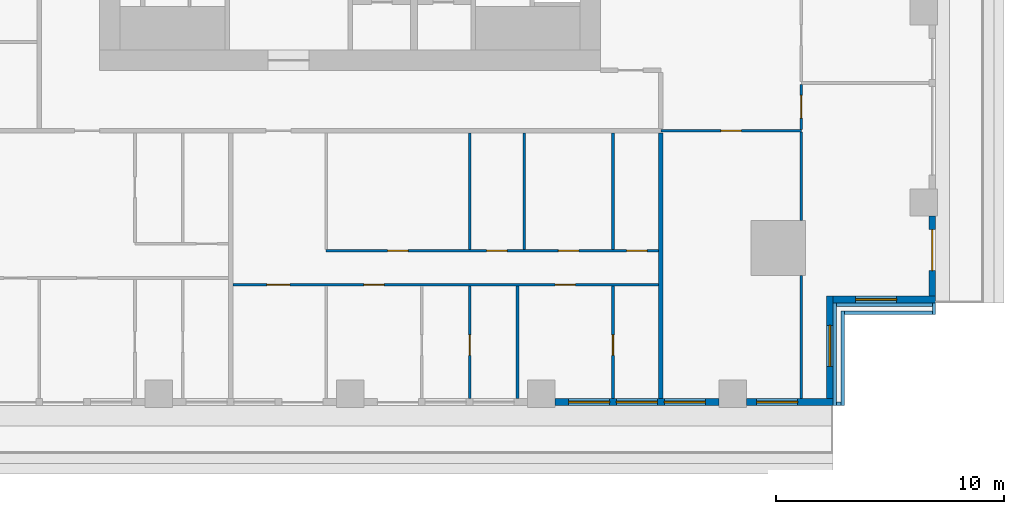
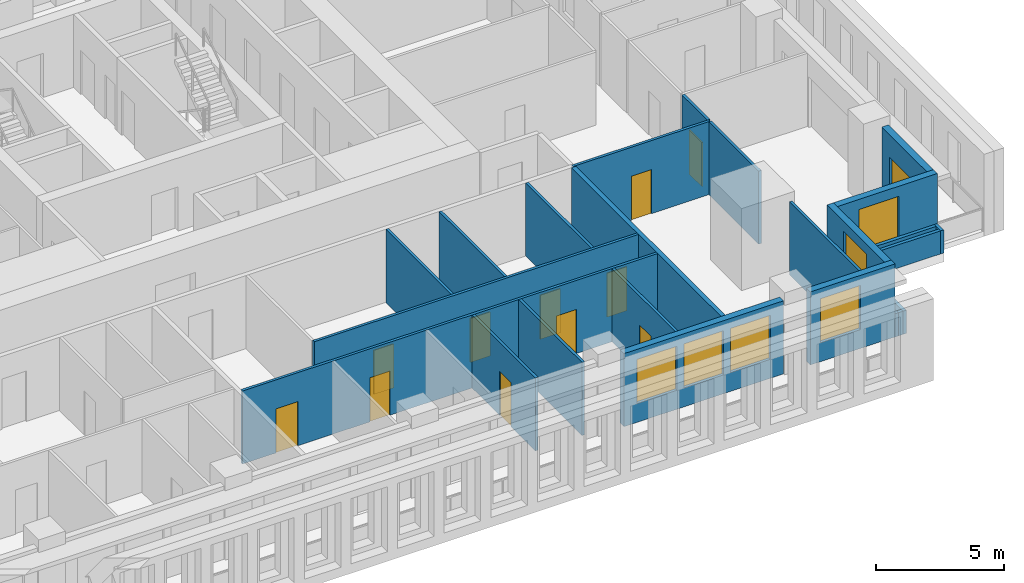
# One storey, part 5 of 17: 24 walls, 12 doors, 6 windows, 18 openings.
"""IFC4 building model written with IfcOpenShell, lengths in metres."""

from ifc_helpers import new_model, si_unit, direction, frame, frame_2d, origin, place, context, subcontext, project, spatial, rectangle, extrude, material, layer, layer_set, type_object, element, fill, save


model = new_model("IFC4")

# Units and contexts
model_context = context("Model", 3, precision=1e-05, world=origin(), true_north=direction((0.0, 1.0)))
body_context = subcontext(model_context, "Body", "Model", "MODEL_VIEW")
ifc_project = project(units=[si_unit("LENGTHUNIT", "METRE"), si_unit("AREAUNIT", "SQUARE_METRE"), si_unit("VOLUMEUNIT", "CUBIC_METRE"), si_unit("PLANEANGLEUNIT", "RADIAN"), si_unit("MASSUNIT", "GRAM", prefix="KILO")], contexts=[model_context])

# Site, building, storey
site_placement = place(None, origin())
site = spatial("IfcSite", under=ifc_project, at=site_placement, CompositionType="ELEMENT")
building_placement = place(site_placement, origin())
building = spatial("IfcBuilding", under=site, at=building_placement, Name="Khepri Terraces", CompositionType="ELEMENT")
storey_placement = place(building_placement, frame((0.0, 0.0, 188.39990234375)))
storey = spatial("IfcBuildingStorey", under=building, at=storey_placement, Name="L44", CompositionType="ELEMENT", Elevation=188.39990234375)

# Wall
ifc_material_1 = material(Name="Fire-rated gypsum plasterboard partition, mineral wool")
ifc_layer_1 = layer(ifc_material_1, 0.199951171875, Name="Fire-rated gypsum plasterboard partition, mineral wool")
ifc_layer_set_1 = layer_set([ifc_layer_1], Name="Fire-rated gypsum plasterboard partition, mineral wool")
wall_type_1 = type_object("IfcWallType", Name="WL-CORR-200", PredefinedType="PARTITIONING", material=ifc_layer_set_1)
wall_1_placement = place(storey_placement, frame((13.64990234375, -25.419921875, 0.0), z_axis=(0.0, 0.0, 1.0), x_axis=(0.0, 1.0, 0.0)))
element("IfcWall", 1, at=wall_1_placement, inside=storey, type_object=wall_type_1, Name="Partition P-010 L44", PredefinedType="PARTITIONING", context=body_context, shape_type="SweptSolid", body=[
    extrude(rectangle(XDim=11.669921875, YDim=0.199951171875, at=frame_2d((5.8349609375, 0.0))), origin(), (0.0, 0.0, 1.0), 3.47998046875),
])

# Wall, opening, window
ifc_material_2 = material(Name="Precast concrete C50/60 warm stone", Category="masonry")
ifc_layer_2 = layer(ifc_material_2, 0.300048828125, Name="Precast concrete C50/60 warm stone", Category="masonry")
ifc_layer_set_2 = layer_set([ifc_layer_2], Name="Precast concrete C50/60 warm stone")
wall_type_2 = type_object("IfcWallType", Name="WL-EXT-PRECAST-300", PredefinedType="STANDARD", material=ifc_layer_set_2)
wall_2_placement = place(storey_placement, frame((21.219970703125, -21.070068359375, 0.0), z_axis=(0.0, 0.0, 1.0), x_axis=(1.0, 0.0, 0.0)))
wall_2 = element("IfcWall", 2, at=wall_2_placement, inside=storey, type_object=wall_type_2, Name="External wall L44 S", PredefinedType="STANDARD", context=body_context, shape_type="SweptSolid", body=[
    extrude(rectangle(XDim=4.5, YDim=0.300048828125, at=frame_2d((2.25, 0.0))), origin(), (0.0, 0.0, 1.0), 3.47998046875),
])
opening_1_placement = place(wall_2_placement, frame((0.97998046875, 0.0, 0.89990234375)))
opening_1 = element("IfcOpeningElement", 3, at=opening_1_placement, cuts=wall_2, Name="Opening W1", PredefinedType="OPENING", context=body_context, shape_type="SweptSolid", body=[
    extrude(rectangle(XDim=1.800048828125, YDim=2.10009765625, at=frame_2d((0.89990234375, 1.050048828125))), frame((0.0, 0.16015625, 0.0), z_axis=(0.0, -1.0, 0.0), x_axis=(1.0, 0.0, 0.0)), (0.0, 0.0, 1.0), 0.320068359375),
])
ifc_material_3 = material(Name="Clear glass", Category="glass")
window_type = type_object("IfcWindowType", Name="WIN-RES-1800x2100", PartitioningType="SINGLE_PANEL", PredefinedType="WINDOW", material=ifc_material_3)
window_1_placement = place(opening_1_placement, origin())
window_1 = element("IfcWindow", 4, at=window_1_placement, inside=storey, type_object=window_type, Name="Window L44 S", OverallHeight=2.10009765625, OverallWidth=1.800048828125, PartitioningType="SINGLE_PANEL", PredefinedType="WINDOW", context=body_context, shape_type="SweptSolid", body=[
    extrude(rectangle(XDim=1.800048828125, YDim=2.10009765625, at=frame_2d((0.89990234375, 1.050048828125))), frame((0.0, 0.030029296875, 0.0), z_axis=(0.0, -1.0, 0.0), x_axis=(1.0, 0.0, 0.0)), (0.0, 0.0, 1.0), 0.06005859375),
])
fill(opening_1, window_1)

# Wall, opening, door
wall_3_placement = place(storey_placement, frame((25.570068359375, -20.919921875, 0.0), z_axis=(0.0, 0.0, 1.0), x_axis=(0.0, 1.0, 0.0)))
wall_3 = element("IfcWall", 5, at=wall_3_placement, inside=storey, type_object=wall_type_2, Name="External wall L44 E", PredefinedType="STANDARD", context=body_context, shape_type="SweptSolid", body=[
    extrude(rectangle(XDim=3.52001953125, YDim=0.300048828125, at=frame_2d((1.760009765625, 0.0))), origin(), (0.0, 0.0, 1.0), 3.47998046875),
])
opening_2_placement = place(wall_3_placement, frame((1.1201171875, 0.0, 0.0)))
opening_2 = element("IfcOpeningElement", 6, at=opening_2_placement, cuts=wall_3, Name="Opening ED-L44-01", PredefinedType="OPENING", context=body_context, shape_type="SweptSolid", body=[
    extrude(rectangle(XDim=1.800048828125, YDim=2.39990234375, at=frame_2d((0.89990234375, 1.199951171875))), frame((0.0, 0.16015625, 0.0), z_axis=(0.0, -1.0, 0.0), x_axis=(1.0, 0.0, 0.0)), (0.0, 0.0, 1.0), 0.320068359375),
])
ifc_material_4 = material(Name="Anodised aluminium bronze glazed door", Category="aluminium")
door_type_1 = type_object("IfcDoorType", Name="DR-BAL-SLIDE-1800x2400", OperationType="NOTDEFINED", PredefinedType="DOOR", material=ifc_material_4)
door_1_placement = place(opening_2_placement, origin())
door_1 = element("IfcDoor", 7, at=door_1_placement, inside=storey, type_object=door_type_1, Name="Balcony door L44 E", OperationType="SLIDING_TO_RIGHT", OverallHeight=2.39990234375, OverallWidth=1.800048828125, PredefinedType="DOOR", context=body_context, shape_type="SweptSolid", body=[
    extrude(rectangle(XDim=1.800048828125, YDim=2.39990234375, at=frame_2d((0.89990234375, 1.199951171875))), frame((0.0, 0.02490234375, 0.0), z_axis=(0.0, -1.0, 0.0), x_axis=(1.0, 0.0, 0.0)), (0.0, 0.0, 1.0), 0.050048828125),
])
fill(opening_2, door_1)

# Wall, openings, windows
wall_4_placement = place(storey_placement, frame((9.0, -25.570068359375, 0.0), z_axis=(0.0, 0.0, 1.0), x_axis=(1.0, 0.0, 0.0)))
wall_4 = element("IfcWall", 8, at=wall_4_placement, inside=storey, type_object=wall_type_2, Name="External wall L44 S", PredefinedType="STANDARD", context=body_context, shape_type="SweptSolid", body=[
    extrude(rectangle(XDim=7.199951171875, YDim=0.300048828125, at=frame_2d((3.60009765625, 0.0))), origin(), (0.0, 0.0, 1.0), 3.47998046875),
])
opening_3_placement = place(wall_4_placement, frame((0.60009765625, 0.0, 0.89990234375)))
opening_3 = element("IfcOpeningElement", 9, at=opening_3_placement, cuts=wall_4, Name="Opening W1", PredefinedType="OPENING", context=body_context, shape_type="SweptSolid", body=[
    extrude(rectangle(XDim=1.800048828125, YDim=2.10009765625, at=frame_2d((0.89990234375, 1.050048828125))), frame((0.0, 0.16015625, 0.0), z_axis=(0.0, -1.0, 0.0), x_axis=(1.0, 0.0, 0.0)), (0.0, 0.0, 1.0), 0.320068359375),
])
opening_4_placement = place(wall_4_placement, frame((2.699951171875, 0.0, 0.89990234375)))
opening_4 = element("IfcOpeningElement", 10, at=opening_4_placement, cuts=wall_4, Name="Opening W1", PredefinedType="OPENING", context=body_context, shape_type="SweptSolid", body=[
    extrude(rectangle(XDim=1.800048828125, YDim=2.10009765625, at=frame_2d((0.89990234375, 1.050048828125))), frame((0.0, 0.16015625, 0.0), z_axis=(0.0, -1.0, 0.0), x_axis=(1.0, 0.0, 0.0)), (0.0, 0.0, 1.0), 0.320068359375),
])
opening_5_placement = place(wall_4_placement, frame((4.800048828125, 0.0, 0.89990234375)))
opening_5 = element("IfcOpeningElement", 11, at=opening_5_placement, cuts=wall_4, Name="Opening W1", PredefinedType="OPENING", context=body_context, shape_type="SweptSolid", body=[
    extrude(rectangle(XDim=1.800048828125, YDim=2.10009765625, at=frame_2d((0.89990234375, 1.050048828125))), frame((0.0, 0.16015625, 0.0), z_axis=(0.0, -1.0, 0.0), x_axis=(1.0, 0.0, 0.0)), (0.0, 0.0, 1.0), 0.320068359375),
])
window_2_placement = place(opening_3_placement, origin())
window_2 = element("IfcWindow", 12, at=window_2_placement, inside=storey, type_object=window_type, Name="Window L44 S", OverallHeight=2.10009765625, OverallWidth=1.800048828125, PartitioningType="SINGLE_PANEL", PredefinedType="WINDOW", context=body_context, shape_type="SweptSolid", body=[
    extrude(rectangle(XDim=1.800048828125, YDim=2.10009765625, at=frame_2d((0.89990234375, 1.050048828125))), frame((0.0, 0.030029296875, 0.0), z_axis=(0.0, -1.0, 0.0), x_axis=(1.0, 0.0, 0.0)), (0.0, 0.0, 1.0), 0.06005859375),
])
fill(opening_3, window_2)
window_3_placement = place(opening_4_placement, origin())
window_3 = element("IfcWindow", 13, at=window_3_placement, inside=storey, type_object=window_type, Name="Window L44 S", OverallHeight=2.10009765625, OverallWidth=1.800048828125, PartitioningType="SINGLE_PANEL", PredefinedType="WINDOW", context=body_context, shape_type="SweptSolid", body=[
    extrude(rectangle(XDim=1.800048828125, YDim=2.10009765625, at=frame_2d((0.89990234375, 1.050048828125))), frame((0.0, 0.030029296875, 0.0), z_axis=(0.0, -1.0, 0.0), x_axis=(1.0, 0.0, 0.0)), (0.0, 0.0, 1.0), 0.06005859375),
])
fill(opening_4, window_3)
window_4_placement = place(opening_5_placement, origin())
window_4 = element("IfcWindow", 14, at=window_4_placement, inside=storey, type_object=window_type, Name="Window L44 S", OverallHeight=2.10009765625, OverallWidth=1.800048828125, PartitioningType="SINGLE_PANEL", PredefinedType="WINDOW", context=body_context, shape_type="SweptSolid", body=[
    extrude(rectangle(XDim=1.800048828125, YDim=2.10009765625, at=frame_2d((0.89990234375, 1.050048828125))), frame((0.0, 0.030029296875, 0.0), z_axis=(0.0, -1.0, 0.0), x_axis=(1.0, 0.0, 0.0)), (0.0, 0.0, 1.0), 0.06005859375),
])
fill(opening_5, window_4)

# Wall, opening, window
wall_5_placement = place(storey_placement, frame((17.39990234375, -25.570068359375, 0.0), z_axis=(0.0, 0.0, 1.0), x_axis=(1.0, 0.0, 0.0)))
wall_5 = element("IfcWall", 15, at=wall_5_placement, inside=storey, type_object=wall_type_2, Name="External wall L44 S", PredefinedType="STANDARD", context=body_context, shape_type="SweptSolid", body=[
    extrude(rectangle(XDim=3.820068359375, YDim=0.300048828125, at=frame_2d((1.91015625, 0.0))), origin(), (0.0, 0.0, 1.0), 3.47998046875),
])
opening_6_placement = place(wall_5_placement, frame((0.4599609375, 0.0, 0.89990234375)))
opening_6 = element("IfcOpeningElement", 16, at=opening_6_placement, cuts=wall_5, Name="Opening W1", PredefinedType="OPENING", context=body_context, shape_type="SweptSolid", body=[
    extrude(rectangle(XDim=1.800048828125, YDim=2.10009765625, at=frame_2d((0.89990234375, 1.050048828125))), frame((0.0, 0.16015625, 0.0), z_axis=(0.0, -1.0, 0.0), x_axis=(1.0, 0.0, 0.0)), (0.0, 0.0, 1.0), 0.320068359375),
])
window_5_placement = place(opening_6_placement, origin())
window_5 = element("IfcWindow", 17, at=window_5_placement, inside=storey, type_object=window_type, Name="Window L44 S", OverallHeight=2.10009765625, OverallWidth=1.800048828125, PartitioningType="SINGLE_PANEL", PredefinedType="WINDOW", context=body_context, shape_type="SweptSolid", body=[
    extrude(rectangle(XDim=1.800048828125, YDim=2.10009765625, at=frame_2d((0.89990234375, 1.050048828125))), frame((0.0, 0.030029296875, 0.0), z_axis=(0.0, -1.0, 0.0), x_axis=(1.0, 0.0, 0.0)), (0.0, 0.0, 1.0), 0.06005859375),
])
fill(opening_6, window_5)

wall_6_placement = place(storey_placement, frame((21.070068359375, -25.419921875, 0.0), z_axis=(0.0, 0.0, 1.0), x_axis=(0.0, 1.0, 0.0)))
wall_6 = element("IfcWall", 18, at=wall_6_placement, inside=storey, type_object=wall_type_2, Name="External wall L44 E", PredefinedType="STANDARD", context=body_context, shape_type="SweptSolid", body=[
    extrude(rectangle(XDim=4.5, YDim=0.300048828125, at=frame_2d((2.25, 0.0))), origin(), (0.0, 0.0, 1.0), 3.47998046875),
])
opening_7_placement = place(wall_6_placement, frame((1.419921875, 0.0, 0.89990234375)))
opening_7 = element("IfcOpeningElement", 19, at=opening_7_placement, cuts=wall_6, Name="Opening W1", PredefinedType="OPENING", context=body_context, shape_type="SweptSolid", body=[
    extrude(rectangle(XDim=1.800048828125, YDim=2.10009765625, at=frame_2d((0.89990234375, 1.050048828125))), frame((0.0, 0.16015625, 0.0), z_axis=(0.0, -1.0, 0.0), x_axis=(1.0, 0.0, 0.0)), (0.0, 0.0, 1.0), 0.320068359375),
])
window_6_placement = place(opening_7_placement, origin())
window_6 = element("IfcWindow", 20, at=window_6_placement, inside=storey, type_object=window_type, Name="Window L44 E", OverallHeight=2.10009765625, OverallWidth=1.800048828125, PartitioningType="SINGLE_PANEL", PredefinedType="WINDOW", context=body_context, shape_type="SweptSolid", body=[
    extrude(rectangle(XDim=1.800048828125, YDim=2.10009765625, at=frame_2d((0.89990234375, 1.050048828125))), frame((0.0, 0.030029296875, 0.0), z_axis=(0.0, -1.0, 0.0), x_axis=(1.0, 0.0, 0.0)), (0.0, 0.0, 1.0), 0.06005859375),
])
fill(opening_7, window_6)

# Walls
ifc_layer_3 = layer(ifc_material_2, 0.14990234375, Name="Precast concrete C50/60 warm stone", Category="masonry")
ifc_layer_set_3 = layer_set([ifc_layer_3], Name="Precast concrete C50/60 warm stone")
wall_type_3 = type_object("IfcWallType", Name="WL-PARAPET-150", PredefinedType="PARAPET", material=ifc_layer_set_3)
wall_7_placement = place(storey_placement, frame((21.294921875, -25.719970703125, 0.0), z_axis=(0.0, 0.0, 1.0), x_axis=(0.0, 1.0, 0.0)))
element("IfcWall", 21, at=wall_7_placement, inside=storey, type_object=wall_type_3, Name="Ledge parapet L44", PredefinedType="PARAPET", context=body_context, shape_type="SweptSolid", body=[
    extrude(rectangle(XDim=4.5, YDim=0.14990234375, at=frame_2d((2.25, 0.0))), origin(), (0.0, 0.0, 1.0), 1.10009765625),
])
wall_8_placement = place(storey_placement, frame((21.3701171875, -25.64501953125, 0.0), z_axis=(0.0, 0.0, 1.0), x_axis=(1.0, 0.0, 0.0)))
element("IfcWall", 22, at=wall_8_placement, inside=storey, type_object=wall_type_3, Name="Ledge parapet L44", PredefinedType="PARAPET", context=body_context, shape_type="SweptSolid", body=[
    extrude(rectangle(XDim=0.199951171875, YDim=0.14990234375, at=frame_2d((0.10009765625, 0.0))), origin(), (0.0, 0.0, 1.0), 1.10009765625),
])
wall_9_placement = place(storey_placement, frame((21.3701171875, -21.294921875, 0.0), z_axis=(0.0, 0.0, 1.0), x_axis=(1.0, 0.0, 0.0)))
element("IfcWall", 23, at=wall_9_placement, inside=storey, type_object=wall_type_3, Name="Ledge parapet L44", PredefinedType="PARAPET", context=body_context, shape_type="SweptSolid", body=[
    extrude(rectangle(XDim=4.199951171875, YDim=0.14990234375, at=frame_2d((2.10009765625, 0.0))), origin(), (0.0, 0.0, 1.0), 1.10009765625),
])
wall_10_placement = place(storey_placement, frame((21.64501953125, -25.719970703125, 0.0), z_axis=(0.0, 0.0, 1.0), x_axis=(0.0, 1.0, 0.0)))
element("IfcWall", 24, at=wall_10_placement, inside=storey, type_object=wall_type_3, Name="Ledge parapet L44", PredefinedType="PARAPET", context=body_context, shape_type="SweptSolid", body=[
    extrude(rectangle(XDim=4.14990234375, YDim=0.14990234375, at=frame_2d((2.074951171875, 0.0))), origin(), (0.0, 0.0, 1.0), 1.10009765625),
])
wall_11_placement = place(storey_placement, frame((21.719970703125, -21.64501953125, 0.0), z_axis=(0.0, 0.0, 1.0), x_axis=(1.0, 0.0, 0.0)))
element("IfcWall", 25, at=wall_11_placement, inside=storey, type_object=wall_type_3, Name="Ledge parapet L44", PredefinedType="PARAPET", context=body_context, shape_type="SweptSolid", body=[
    extrude(rectangle(XDim=3.85009765625, YDim=0.14990234375, at=frame_2d((1.925048828125, 0.0))), origin(), (0.0, 0.0, 1.0), 1.10009765625),
])
wall_12_placement = place(storey_placement, frame((25.64501953125, -21.719970703125, 0.0), z_axis=(0.0, 0.0, 1.0), x_axis=(0.0, 1.0, 0.0)))
element("IfcWall", 26, at=wall_12_placement, inside=storey, type_object=wall_type_3, Name="Ledge parapet L44", PredefinedType="PARAPET", context=body_context, shape_type="SweptSolid", body=[
    extrude(rectangle(XDim=0.5, YDim=0.14990234375, at=frame_2d((0.25, 0.0))), origin(), (0.0, 0.0, 1.0), 1.10009765625),
])

# Wall, opening, door
ifc_material_5 = material(Name="Gypsum plasterboard partition")
ifc_layer_4 = layer(ifc_material_5, 0.1201171875, Name="Gypsum plasterboard partition")
ifc_layer_set_4 = layer_set([ifc_layer_4], Name="Gypsum plasterboard partition")
wall_type_4 = type_object("IfcWallType", Name="WL-PART-120", PredefinedType="PARTITIONING", material=ifc_layer_set_4)
wall_13_placement = place(storey_placement, frame((5.25, -25.419921875, 0.0), z_axis=(0.0, 0.0, 1.0), x_axis=(0.0, 1.0, 0.0)))
wall_13 = element("IfcWall", 27, at=wall_13_placement, inside=storey, type_object=wall_type_4, Name="Partition P-007 L44", PredefinedType="PARTITIONING", context=body_context, shape_type="SweptSolid", body=[
    extrude(rectangle(XDim=4.93994140625, YDim=0.1201171875, at=frame_2d((2.469970703125, 0.0))), origin(), (0.0, 0.0, 1.0), 3.47998046875),
])
opening_8_placement = place(wall_13_placement, frame((1.89990234375, 0.0, 0.0)))
opening_8 = element("IfcOpeningElement", 28, at=opening_8_placement, cuts=wall_13, Name="Opening D4", PredefinedType="OPENING", context=body_context, shape_type="SweptSolid", body=[
    extrude(rectangle(XDim=0.89990234375, YDim=2.10009765625, at=frame_2d((0.449951171875, 1.050048828125))), frame((0.0, 0.070068359375, 0.0), z_axis=(0.0, -1.0, 0.0), x_axis=(1.0, 0.0, 0.0)), (0.0, 0.0, 1.0), 0.14013671875),
])
ifc_material_6 = material(Name="Timber door leaf, moisture resistant", Category="wood")
door_type_2 = type_object("IfcDoorType", Name="DR-WET-900", OperationType="NOTDEFINED", PredefinedType="DOOR", material=ifc_material_6)
door_2_placement = place(opening_8_placement, frame((0.89990234375, 0.0, 0.0), z_axis=(0.0, 0.0, 1.0), x_axis=(-1.0, 0.0, 0.0)))
door_2 = element("IfcDoor", 29, at=door_2_placement, inside=storey, type_object=door_type_2, Name="Door Bathroom", OperationType="SINGLE_SWING_RIGHT", OverallHeight=2.10009765625, OverallWidth=0.89990234375, PredefinedType="DOOR", context=body_context, shape_type="SweptSolid", body=[
    extrude(rectangle(XDim=0.89990234375, YDim=2.10009765625, at=frame_2d((0.449951171875, 1.050048828125))), frame((0.0, 0.02490234375, 0.0), z_axis=(0.0, -1.0, 0.0), x_axis=(1.0, 0.0, 0.0)), (0.0, 0.0, 1.0), 0.050048828125),
])
fill(opening_8, door_2)

# Wall
wall_14_placement = place(storey_placement, frame((7.35009765625, -25.419921875, 0.0), z_axis=(0.0, 0.0, 1.0), x_axis=(0.0, 1.0, 0.0)))
element("IfcWall", 30, at=wall_14_placement, inside=storey, type_object=wall_type_4, Name="Partition P-008 L44", PredefinedType="PARTITIONING", context=body_context, shape_type="SweptSolid", body=[
    extrude(rectangle(XDim=4.93994140625, YDim=0.1201171875, at=frame_2d((2.469970703125, 0.0))), origin(), (0.0, 0.0, 1.0), 3.47998046875),
])

# Wall, opening, door
wall_15_placement = place(storey_placement, frame((11.550048828125, -25.419921875, 0.0), z_axis=(0.0, 0.0, 1.0), x_axis=(0.0, 1.0, 0.0)))
wall_15 = element("IfcWall", 31, at=wall_15_placement, inside=storey, type_object=wall_type_4, Name="Partition P-009 L44", PredefinedType="PARTITIONING", context=body_context, shape_type="SweptSolid", body=[
    extrude(rectangle(XDim=4.93994140625, YDim=0.1201171875, at=frame_2d((2.469970703125, 0.0))), origin(), (0.0, 0.0, 1.0), 3.47998046875),
])
opening_9_placement = place(wall_15_placement, frame((1.89990234375, 0.0, 0.0)))
opening_9 = element("IfcOpeningElement", 32, at=opening_9_placement, cuts=wall_15, Name="Opening D4", PredefinedType="OPENING", context=body_context, shape_type="SweptSolid", body=[
    extrude(rectangle(XDim=0.89990234375, YDim=2.10009765625, at=frame_2d((0.449951171875, 1.050048828125))), frame((0.0, 0.070068359375, 0.0), z_axis=(0.0, -1.0, 0.0), x_axis=(1.0, 0.0, 0.0)), (0.0, 0.0, 1.0), 0.14013671875),
])
door_3_placement = place(opening_9_placement, frame((0.89990234375, 0.0, 0.0), z_axis=(0.0, 0.0, 1.0), x_axis=(-1.0, 0.0, 0.0)))
door_3 = element("IfcDoor", 33, at=door_3_placement, inside=storey, type_object=door_type_2, Name="Door Bathroom", OperationType="SINGLE_SWING_RIGHT", OverallHeight=2.10009765625, OverallWidth=0.89990234375, PredefinedType="DOOR", context=body_context, shape_type="SweptSolid", body=[
    extrude(rectangle(XDim=0.89990234375, YDim=2.10009765625, at=frame_2d((0.449951171875, 1.050048828125))), frame((0.0, 0.02490234375, 0.0), z_axis=(0.0, -1.0, 0.0), x_axis=(1.0, 0.0, 0.0)), (0.0, 0.0, 1.0), 0.050048828125),
])
fill(opening_9, door_3)

# Wall
wall_16_placement = place(storey_placement, frame((19.820068359375, -25.419921875, 0.0), z_axis=(0.0, 0.0, 1.0), x_axis=(0.0, 1.0, 0.0)))
element("IfcWall", 34, at=wall_16_placement, inside=storey, type_object=wall_type_4, Name="Partition P-011 L44", PredefinedType="PARTITIONING", context=body_context, shape_type="SweptSolid", body=[
    extrude(rectangle(XDim=5.419921875, YDim=0.1201171875, at=frame_2d((2.7099609375, 0.0))), origin(), (0.0, 0.0, 1.0), 3.47998046875),
])

# Wall, openings, doors
wall_17_placement = place(storey_placement, frame((-5.14990234375, -20.419921875, 0.0), z_axis=(0.0, 0.0, 1.0), x_axis=(1.0, 0.0, 0.0)))
wall_17 = element("IfcWall", 35, at=wall_17_placement, inside=storey, type_object=wall_type_4, Name="Partition P-012 L44", PredefinedType="PARTITIONING", context=body_context, shape_type="SweptSolid", body=[
    extrude(rectangle(XDim=18.699951171875, YDim=0.1201171875, at=frame_2d((9.35009765625, 0.0))), origin(), (0.0, 0.0, 1.0), 3.47998046875),
])
opening_10_placement = place(wall_17_placement, frame((1.5, 0.0, 0.0)))
opening_10 = element("IfcOpeningElement", 36, at=opening_10_placement, cuts=wall_17, Name="Opening D2", PredefinedType="OPENING", context=body_context, shape_type="SweptSolid", body=[
    extrude(rectangle(XDim=1.0, YDim=2.10009765625, at=frame_2d((0.5, 1.050048828125))), frame((0.0, 0.070068359375, 0.0), z_axis=(0.0, -1.0, 0.0), x_axis=(1.0, 0.0, 0.0)), (0.0, 0.0, 1.0), 0.14013671875),
])
opening_11_placement = place(wall_17_placement, frame((5.75, 0.0, 0.0)))
opening_11 = element("IfcOpeningElement", 37, at=opening_11_placement, cuts=wall_17, Name="Opening D3", PredefinedType="OPENING", context=body_context, shape_type="SweptSolid", body=[
    extrude(rectangle(XDim=0.89990234375, YDim=2.10009765625, at=frame_2d((0.449951171875, 1.050048828125))), frame((0.0, 0.070068359375, 0.0), z_axis=(0.0, -1.0, 0.0), x_axis=(1.0, 0.0, 0.0)), (0.0, 0.0, 1.0), 0.14013671875),
])
opening_12_placement = place(wall_17_placement, frame((14.14990234375, 0.0, 0.0)))
opening_12 = element("IfcOpeningElement", 38, at=opening_12_placement, cuts=wall_17, Name="Opening D3", PredefinedType="OPENING", context=body_context, shape_type="SweptSolid", body=[
    extrude(rectangle(XDim=0.89990234375, YDim=2.10009765625, at=frame_2d((0.449951171875, 1.050048828125))), frame((0.0, 0.070068359375, 0.0), z_axis=(0.0, -1.0, 0.0), x_axis=(1.0, 0.0, 0.0)), (0.0, 0.0, 1.0), 0.14013671875),
])
ifc_material_7 = material(Name="Timber door leaf, living room door", Category="wood")
door_type_3 = type_object("IfcDoorType", Name="DR-INT-1000", OperationType="NOTDEFINED", PredefinedType="DOOR", material=ifc_material_7)
door_4_placement = place(opening_10_placement, frame((1.0, 0.0, 0.0), z_axis=(0.0, 0.0, 1.0), x_axis=(-1.0, 0.0, 0.0)))
door_4 = element("IfcDoor", 39, at=door_4_placement, inside=storey, type_object=door_type_3, Name="Door Living Room", OperationType="SINGLE_SWING_RIGHT", OverallHeight=2.10009765625, OverallWidth=1.0, PredefinedType="DOOR", context=body_context, shape_type="SweptSolid", body=[
    extrude(rectangle(XDim=1.0, YDim=2.10009765625, at=frame_2d((0.5, 1.050048828125))), frame((0.0, 0.02490234375, 0.0), z_axis=(0.0, -1.0, 0.0), x_axis=(1.0, 0.0, 0.0)), (0.0, 0.0, 1.0), 0.050048828125),
])
fill(opening_10, door_4)
ifc_material_8 = material(Name="Timber door leaf", Category="wood")
door_type_4 = type_object("IfcDoorType", Name="DR-INT-900", OperationType="NOTDEFINED", PredefinedType="DOOR", material=ifc_material_8)
door_5_placement = place(opening_11_placement, frame((0.89990234375, 0.0, 0.0), z_axis=(0.0, 0.0, 1.0), x_axis=(-1.0, 0.0, 0.0)))
door_5 = element("IfcDoor", 40, at=door_5_placement, inside=storey, type_object=door_type_4, Name="Door Master Bedroom", OperationType="SINGLE_SWING_RIGHT", OverallHeight=2.10009765625, OverallWidth=0.89990234375, PredefinedType="DOOR", context=body_context, shape_type="SweptSolid", body=[
    extrude(rectangle(XDim=0.89990234375, YDim=2.10009765625, at=frame_2d((0.449951171875, 1.050048828125))), frame((0.0, 0.02490234375, 0.0), z_axis=(0.0, -1.0, 0.0), x_axis=(1.0, 0.0, 0.0)), (0.0, 0.0, 1.0), 0.050048828125),
])
fill(opening_11, door_5)
door_6_placement = place(opening_12_placement, frame((0.89990234375, 0.0, 0.0), z_axis=(0.0, 0.0, 1.0), x_axis=(-1.0, 0.0, 0.0)))
door_6 = element("IfcDoor", 41, at=door_6_placement, inside=storey, type_object=door_type_4, Name="Door Bedroom", OperationType="SINGLE_SWING_LEFT", OverallHeight=2.10009765625, OverallWidth=0.89990234375, PredefinedType="DOOR", context=body_context, shape_type="SweptSolid", body=[
    extrude(rectangle(XDim=0.89990234375, YDim=2.10009765625, at=frame_2d((0.449951171875, 1.050048828125))), frame((0.0, 0.02490234375, 0.0), z_axis=(0.0, -1.0, 0.0), x_axis=(1.0, 0.0, 0.0)), (0.0, 0.0, 1.0), 0.050048828125),
])
fill(opening_12, door_6)

wall_18_placement = place(storey_placement, frame((-1.050048828125, -18.919921875, 0.0), z_axis=(0.0, 0.0, 1.0), x_axis=(1.0, 0.0, 0.0)))
wall_18 = element("IfcWall", 42, at=wall_18_placement, inside=storey, type_object=wall_type_4, Name="Partition P-015 L44", PredefinedType="PARTITIONING", context=body_context, shape_type="SweptSolid", body=[
    extrude(rectangle(XDim=14.60009765625, YDim=0.1201171875, at=frame_2d((7.300048828125, 0.0))), origin(), (0.0, 0.0, 1.0), 3.47998046875),
])
opening_13_placement = place(wall_18_placement, frame((2.699951171875, 0.0, 0.0)))
opening_13 = element("IfcOpeningElement", 43, at=opening_13_placement, cuts=wall_18, Name="Opening D3", PredefinedType="OPENING", context=body_context, shape_type="SweptSolid", body=[
    extrude(rectangle(XDim=0.89990234375, YDim=2.10009765625, at=frame_2d((0.449951171875, 1.050048828125))), frame((0.0, 0.070068359375, 0.0), z_axis=(0.0, -1.0, 0.0), x_axis=(1.0, 0.0, 0.0)), (0.0, 0.0, 1.0), 0.14013671875),
])
opening_14_placement = place(wall_18_placement, frame((7.050048828125, 0.0, 0.0)))
opening_14 = element("IfcOpeningElement", 44, at=opening_14_placement, cuts=wall_18, Name="Opening D4", PredefinedType="OPENING", context=body_context, shape_type="SweptSolid", body=[
    extrude(rectangle(XDim=0.89990234375, YDim=2.10009765625, at=frame_2d((0.449951171875, 1.050048828125))), frame((0.0, 0.070068359375, 0.0), z_axis=(0.0, -1.0, 0.0), x_axis=(1.0, 0.0, 0.0)), (0.0, 0.0, 1.0), 0.14013671875),
])
opening_15_placement = place(wall_18_placement, frame((10.199951171875, 0.0, 0.0)))
opening_15 = element("IfcOpeningElement", 45, at=opening_15_placement, cuts=wall_18, Name="Opening D4", PredefinedType="OPENING", context=body_context, shape_type="SweptSolid", body=[
    extrude(rectangle(XDim=0.89990234375, YDim=2.10009765625, at=frame_2d((0.449951171875, 1.050048828125))), frame((0.0, 0.070068359375, 0.0), z_axis=(0.0, -1.0, 0.0), x_axis=(1.0, 0.0, 0.0)), (0.0, 0.0, 1.0), 0.14013671875),
])
opening_16_placement = place(wall_18_placement, frame((13.199951171875, 0.0, 0.0)))
opening_16 = element("IfcOpeningElement", 46, at=opening_16_placement, cuts=wall_18, Name="Opening D3", PredefinedType="OPENING", context=body_context, shape_type="SweptSolid", body=[
    extrude(rectangle(XDim=0.89990234375, YDim=2.10009765625, at=frame_2d((0.449951171875, 1.050048828125))), frame((0.0, 0.070068359375, 0.0), z_axis=(0.0, -1.0, 0.0), x_axis=(1.0, 0.0, 0.0)), (0.0, 0.0, 1.0), 0.14013671875),
])
door_7_placement = place(opening_13_placement, origin())
door_7 = element("IfcDoor", 47, at=door_7_placement, inside=storey, type_object=door_type_4, Name="Door Kitchen", OperationType="SINGLE_SWING_LEFT", OverallHeight=2.10009765625, OverallWidth=0.89990234375, PredefinedType="DOOR", context=body_context, shape_type="SweptSolid", body=[
    extrude(rectangle(XDim=0.89990234375, YDim=2.10009765625, at=frame_2d((0.449951171875, 1.050048828125))), frame((0.0, 0.02490234375, 0.0), z_axis=(0.0, -1.0, 0.0), x_axis=(1.0, 0.0, 0.0)), (0.0, 0.0, 1.0), 0.050048828125),
])
fill(opening_13, door_7)
door_8_placement = place(opening_16_placement, origin())
door_8 = element("IfcDoor", 48, at=door_8_placement, inside=storey, type_object=door_type_4, Name="Door Utility Room", OperationType="SINGLE_SWING_RIGHT", OverallHeight=2.10009765625, OverallWidth=0.89990234375, PredefinedType="DOOR", context=body_context, shape_type="SweptSolid", body=[
    extrude(rectangle(XDim=0.89990234375, YDim=2.10009765625, at=frame_2d((0.449951171875, 1.050048828125))), frame((0.0, 0.02490234375, 0.0), z_axis=(0.0, -1.0, 0.0), x_axis=(1.0, 0.0, 0.0)), (0.0, 0.0, 1.0), 0.050048828125),
])
fill(opening_16, door_8)
door_9_placement = place(opening_14_placement, origin())
door_9 = element("IfcDoor", 49, at=door_9_placement, inside=storey, type_object=door_type_2, Name="Door Powder Room", OperationType="SINGLE_SWING_RIGHT", OverallHeight=2.10009765625, OverallWidth=0.89990234375, PredefinedType="DOOR", context=body_context, shape_type="SweptSolid", body=[
    extrude(rectangle(XDim=0.89990234375, YDim=2.10009765625, at=frame_2d((0.449951171875, 1.050048828125))), frame((0.0, 0.02490234375, 0.0), z_axis=(0.0, -1.0, 0.0), x_axis=(1.0, 0.0, 0.0)), (0.0, 0.0, 1.0), 0.050048828125),
])
fill(opening_14, door_9)
door_10_placement = place(opening_15_placement, origin())
door_10 = element("IfcDoor", 50, at=door_10_placement, inside=storey, type_object=door_type_2, Name="Door Guest Bathroom", OperationType="SINGLE_SWING_RIGHT", OverallHeight=2.10009765625, OverallWidth=0.89990234375, PredefinedType="DOOR", context=body_context, shape_type="SweptSolid", body=[
    extrude(rectangle(XDim=0.89990234375, YDim=2.10009765625, at=frame_2d((0.449951171875, 1.050048828125))), frame((0.0, 0.02490234375, 0.0), z_axis=(0.0, -1.0, 0.0), x_axis=(1.0, 0.0, 0.0)), (0.0, 0.0, 1.0), 0.050048828125),
])
fill(opening_15, door_10)

# Walls
for number, where, z_axis, x_axis, name in (
    (51, (5.25, -18.860107421875, 0.0), (0.0, 0.0, 1.0), (0.0, 1.0, 0.0), "Partition P-017 L44"),
    (52, (7.64990234375, -18.860107421875, 0.0), (0.0, 0.0, 1.0), (0.0, 1.0, 0.0), "Partition P-018 L44"),
    (53, (11.550048828125, -18.860107421875, 0.0), (0.0, 0.0, 1.0), (0.0, 1.0, 0.0), "Partition P-019 L44"),
):
    element("IfcWall", number, at=place(storey_placement, frame(where, z_axis=z_axis, x_axis=x_axis)), inside=storey, type_object=wall_type_4, Name=name, PredefinedType="PARTITIONING", context=body_context, shape_type="SweptSolid", body=[
        extrude(rectangle(XDim=5.110107421875, YDim=0.1201171875, at=frame_2d((2.55517578125, 0.0))), origin(), (0.0, 0.0, 1.0), 3.47998046875),
    ])
wall_19_placement = place(storey_placement, frame((19.820068359375, -17.60009765625, 0.0), z_axis=(0.0, 0.0, 1.0), x_axis=(0.0, 1.0, 0.0)))
element("IfcWall", 54, at=wall_19_placement, inside=storey, type_object=wall_type_4, Name="Partition P-023 L44", PredefinedType="PARTITIONING", context=body_context, shape_type="SweptSolid", body=[
    extrude(rectangle(XDim=3.89013671875, YDim=0.1201171875, at=frame_2d((1.945068359375, 0.0))), origin(), (0.0, 0.0, 1.0), 3.47998046875),
])

# Wall, opening, door
wall_20_placement = place(storey_placement, frame((13.64990234375, -13.64990234375, 0.0), z_axis=(0.0, 0.0, 1.0), x_axis=(1.0, 0.0, 0.0)))
wall_20 = element("IfcWall", 55, at=wall_20_placement, inside=storey, type_object=wall_type_4, Name="Partition P-025 L44", PredefinedType="PARTITIONING", context=body_context, shape_type="SweptSolid", body=[
    extrude(rectangle(XDim=6.170166015625, YDim=0.1201171875, at=frame_2d((3.0849609375, 0.0))), origin(), (0.0, 0.0, 1.0), 3.47998046875),
])
opening_17_placement = place(wall_20_placement, frame((2.635009765625, 0.0, 0.0)))
opening_17 = element("IfcOpeningElement", 56, at=opening_17_placement, cuts=wall_20, Name="Opening D3", PredefinedType="OPENING", context=body_context, shape_type="SweptSolid", body=[
    extrude(rectangle(XDim=0.89990234375, YDim=2.10009765625, at=frame_2d((0.449951171875, 1.050048828125))), frame((0.0, 0.070068359375, 0.0), z_axis=(0.0, -1.0, 0.0), x_axis=(1.0, 0.0, 0.0)), (0.0, 0.0, 1.0), 0.14013671875),
])
door_11_placement = place(opening_17_placement, frame((0.89990234375, 0.0, 0.0), z_axis=(0.0, 0.0, 1.0), x_axis=(-1.0, 0.0, 0.0)))
door_11 = element("IfcDoor", 57, at=door_11_placement, inside=storey, type_object=door_type_4, Name="Door Library", OperationType="SINGLE_SWING_RIGHT", OverallHeight=2.10009765625, OverallWidth=0.89990234375, PredefinedType="DOOR", context=body_context, shape_type="SweptSolid", body=[
    extrude(rectangle(XDim=0.89990234375, YDim=2.10009765625, at=frame_2d((0.449951171875, 1.050048828125))), frame((0.0, 0.02490234375, 0.0), z_axis=(0.0, -1.0, 0.0), x_axis=(1.0, 0.0, 0.0)), (0.0, 0.0, 1.0), 0.050048828125),
])
fill(opening_17, door_11)

wall_21_placement = place(storey_placement, frame((19.820068359375, -13.590087890625, 0.0), z_axis=(0.0, 0.0, 1.0), x_axis=(0.0, 1.0, 0.0)))
wall_21 = element("IfcWall", 58, at=wall_21_placement, inside=storey, type_object=wall_type_4, Name="Partition P-026 L44", PredefinedType="PARTITIONING", context=body_context, shape_type="SweptSolid", body=[
    extrude(rectangle(XDim=1.97998046875, YDim=0.1201171875, at=frame_2d((0.989990234375, 0.0))), origin(), (0.0, 0.0, 1.0), 3.47998046875),
])
opening_18_placement = place(wall_21_placement, frame((0.489990234375, 0.0, 0.0)))
opening_18 = element("IfcOpeningElement", 59, at=opening_18_placement, cuts=wall_21, Name="Opening D2", PredefinedType="OPENING", context=body_context, shape_type="SweptSolid", body=[
    extrude(rectangle(XDim=1.0, YDim=2.10009765625, at=frame_2d((0.5, 1.050048828125))), frame((0.0, 0.070068359375, 0.0), z_axis=(0.0, -1.0, 0.0), x_axis=(1.0, 0.0, 0.0)), (0.0, 0.0, 1.0), 0.14013671875),
])
door_12_placement = place(opening_18_placement, frame((1.0, 0.0, 0.0), z_axis=(0.0, 0.0, 1.0), x_axis=(-1.0, 0.0, 0.0)))
door_12 = element("IfcDoor", 60, at=door_12_placement, inside=storey, type_object=door_type_3, Name="Door Living Room", OperationType="SINGLE_SWING_RIGHT", OverallHeight=2.10009765625, OverallWidth=1.0, PredefinedType="DOOR", context=body_context, shape_type="SweptSolid", body=[
    extrude(rectangle(XDim=1.0, YDim=2.10009765625, at=frame_2d((0.5, 1.050048828125))), frame((0.0, 0.02490234375, 0.0), z_axis=(0.0, -1.0, 0.0), x_axis=(1.0, 0.0, 0.0)), (0.0, 0.0, 1.0), 0.050048828125),
])
fill(opening_18, door_12)

save(model, "model.ifc")
